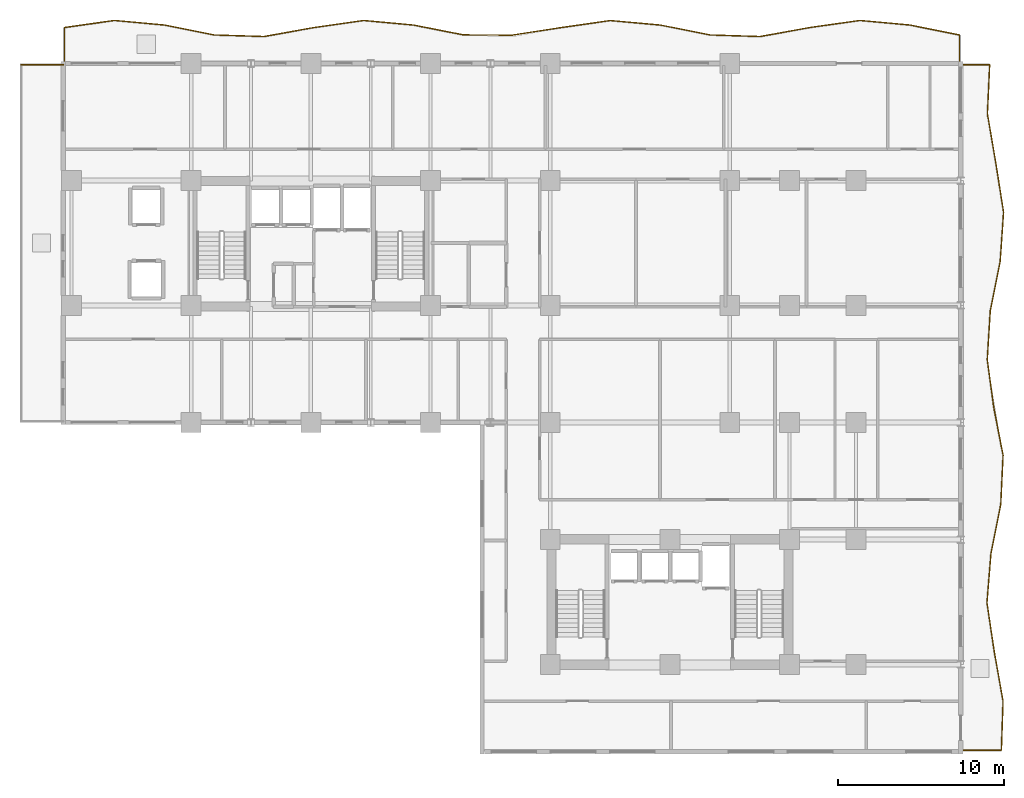
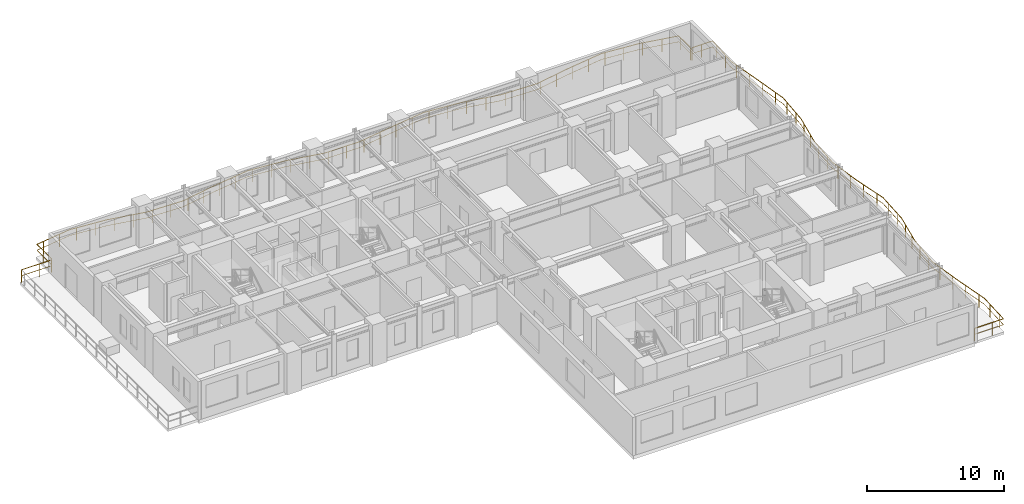
# One storey, part 11 of 11: 3 railings.
"""IFC4 building model written with IfcOpenShell, lengths in metres."""

from ifc_helpers import new_model, si_unit, direction, frame, origin, origin_2d, place, context, subcontext, project, spatial, rectangle, extrude, material, type_object, element, save


model = new_model("IFC4")

# Units and contexts
model_context = context("Model", 3, precision=1e-05, world=origin(), true_north=direction((0.0, 1.0)))
body_context = subcontext(model_context, "Body", "Model", "MODEL_VIEW")
ifc_project = project(units=[si_unit("LENGTHUNIT", "METRE"), si_unit("AREAUNIT", "SQUARE_METRE"), si_unit("VOLUMEUNIT", "CUBIC_METRE"), si_unit("PLANEANGLEUNIT", "RADIAN"), si_unit("MASSUNIT", "GRAM", prefix="KILO")], contexts=[model_context])

# Site, building, storey
site_placement = place(None, origin())
site = spatial("IfcSite", under=ifc_project, at=site_placement, CompositionType="ELEMENT")
building_placement = place(site_placement, origin())
building = spatial("IfcBuilding", under=site, at=building_placement, Name="Kaliganga Portal Commons", CompositionType="ELEMENT")
storey_placement = place(building_placement, frame((0.0, 0.0, 78.60009765625)))
storey = spatial("IfcBuildingStorey", under=building, at=storey_placement, Name="L19", CompositionType="ELEMENT", Elevation=78.60009765625)

# Railings
ifc_material = material(Name="Laminated Safety Glass and Stainless Steel 316", Category="steel")
railing_type = type_object("IfcRailingType", Name="RLG-BAL-1150", PredefinedType="BALUSTRADE", material=ifc_material)
railing_1_placement = place(storey_placement, frame((60.6201171875, 43.20556640625, 0.0)))
element("IfcRailing", 1, at=railing_1_placement, inside=storey, type_object=railing_type, Name="Balcony Guardrail L19 balc_north", PredefinedType="BALUSTRADE", context=body_context, shape_type="SweptSolid", body=[
    extrude(rectangle(XDim=0.048095703125, YDim=0.048095703125, at=origin_2d()), frame((0.0, 0.0, 1.1259765625), z_axis=(0.0, 1.0, 0.0), x_axis=(-1.0, 0.0, 0.0)), (0.0, 0.0, 1.0), 1.71142578125),
    extrude(rectangle(XDim=0.028076171875, YDim=0.028076171875, at=origin_2d()), frame((0.0, 0.0, 0.597900390625), z_axis=(0.0, 1.0, 0.0), x_axis=(-1.0, 0.0, 0.0)), (0.0, 0.0, 1.0), 1.71142578125),
    extrude(rectangle(XDim=0.048095703125, YDim=0.048095703125, at=origin_2d()), frame((0.0, 1.71142578125, 1.1259765625), z_axis=(-0.980635885947, 0.19583988152, 0.0), x_axis=(-0.19583988152, -0.980635885947, 0.0)), (0.0, 0.0, 1.0), 3.059326171875),
    extrude(rectangle(XDim=0.028076171875, YDim=0.028076171875, at=origin_2d()), frame((0.0, 1.71142578125, 0.597900390625), z_axis=(-0.980635885947, 0.19583988152, 0.0), x_axis=(-0.19583988152, -0.980635885947, 0.0)), (0.0, 0.0, 1.0), 3.059326171875),
    extrude(rectangle(XDim=0.048095703125, YDim=0.048095703125, at=origin_2d()), frame((-3.0, 2.310546875, 1.1259765625), z_axis=(-0.995827850775, 0.091251803383, 0.0), x_axis=(-0.091251803383, -0.995827850775, 0.0)), (0.0, 0.0, 1.0), 3.012451171875),
    extrude(rectangle(XDim=0.028076171875, YDim=0.028076171875, at=origin_2d()), frame((-3.0, 2.310546875, 0.597900390625), z_axis=(-0.995827850775, 0.091251803383, 0.0), x_axis=(-0.091251803383, -0.995827850775, 0.0)), (0.0, 0.0, 1.0), 3.012451171875),
    extrude(rectangle(XDim=0.048095703125, YDim=0.048095703125, at=origin_2d()), frame((-6.0, 2.58544921875, 1.1259765625), z_axis=(-0.989943047691, -0.141466470682, 0.0), x_axis=(0.141466470682, -0.989943047691, 0.0)), (0.0, 0.0, 1.0), 3.030517578125),
    extrude(rectangle(XDim=0.028076171875, YDim=0.028076171875, at=origin_2d()), frame((-6.0, 2.58544921875, 0.597900390625), z_axis=(-0.989943047691, -0.141466470682, 0.0), x_axis=(0.141466470682, -0.989943047691, 0.0)), (0.0, 0.0, 1.0), 3.030517578125),
    extrude(rectangle(XDim=0.048095703125, YDim=0.048095703125, at=origin_2d()), frame((-9.0, 2.15673828125, 1.1259765625), z_axis=(-0.984195051972, -0.177087830396, 0.0), x_axis=(0.177087830396, -0.984195051972, 0.0)), (0.0, 0.0, 1.0), 3.048095703125),
    extrude(rectangle(XDim=0.028076171875, YDim=0.028076171875, at=origin_2d()), frame((-9.0, 2.15673828125, 0.597900390625), z_axis=(-0.984195051972, -0.177087830396, 0.0), x_axis=(0.177087830396, -0.984195051972, 0.0)), (0.0, 0.0, 1.0), 3.048095703125),
    extrude(rectangle(XDim=0.048095703125, YDim=0.048095703125, at=origin_2d()), frame((-12.0, 1.616943359375, 1.1259765625), z_axis=(-0.999499296615, 0.031641050324, 0.0), x_axis=(-0.031641050324, -0.999499296615, 0.0)), (0.0, 0.0, 1.0), 3.00146484375),
    extrude(rectangle(XDim=0.028076171875, YDim=0.028076171875, at=origin_2d()), frame((-12.0, 1.616943359375, 0.597900390625), z_axis=(-0.999499296615, 0.031641050324, 0.0), x_axis=(-0.031641050324, -0.999499296615, 0.0)), (0.0, 0.0, 1.0), 3.00146484375),
    extrude(rectangle(XDim=0.048095703125, YDim=0.048095703125, at=origin_2d()), frame((-15.0, 1.7119140625, 1.1259765625), z_axis=(-0.980819402607, 0.194918699639, 0.0), x_axis=(-0.194918699639, -0.980819402607, 0.0)), (0.0, 0.0, 1.0), 3.05859375),
    extrude(rectangle(XDim=0.028076171875, YDim=0.028076171875, at=origin_2d()), frame((-15.0, 1.7119140625, 0.597900390625), z_axis=(-0.980819402607, 0.194918699639, 0.0), x_axis=(-0.194918699639, -0.980819402607, 0.0)), (0.0, 0.0, 1.0), 3.05859375),
    extrude(rectangle(XDim=0.048095703125, YDim=0.048095703125, at=origin_2d()), frame((-18.0, 2.30810546875, 1.1259765625), z_axis=(-0.995950811306, 0.089899841261, 0.0), x_axis=(-0.089899841261, -0.995950811306, 0.0)), (0.0, 0.0, 1.0), 3.01171875),
    extrude(rectangle(XDim=0.028076171875, YDim=0.028076171875, at=origin_2d()), frame((-18.0, 2.30810546875, 0.597900390625), z_axis=(-0.995950811306, 0.089899841261, 0.0), x_axis=(-0.089899841261, -0.995950811306, 0.0)), (0.0, 0.0, 1.0), 3.01171875),
    extrude(rectangle(XDim=0.048095703125, YDim=0.048095703125, at=origin_2d()), frame((-20.99951171875, 2.578857421875, 1.1259765625), z_axis=(-0.989978473762, -0.141218346855, 0.0), x_axis=(0.141218346855, -0.989978473762, 0.0)), (0.0, 0.0, 1.0), 3.030517578125),
    extrude(rectangle(XDim=0.028076171875, YDim=0.028076171875, at=origin_2d()), frame((-20.99951171875, 2.578857421875, 0.597900390625), z_axis=(-0.989978473762, -0.141218346855, 0.0), x_axis=(0.141218346855, -0.989978473762, 0.0)), (0.0, 0.0, 1.0), 3.030517578125),
    extrude(rectangle(XDim=0.048095703125, YDim=0.048095703125, at=origin_2d()), frame((-23.999755859375, 2.15087890625, 1.1259765625), z_axis=(-0.98806316163, -0.154049305839, 0.0), x_axis=(0.154049305839, -0.98806316163, 0.0)), (0.0, 0.0, 1.0), 2.955810546875),
    extrude(rectangle(XDim=0.028076171875, YDim=0.028076171875, at=origin_2d()), frame((-23.999755859375, 2.15087890625, 0.597900390625), z_axis=(-0.98806316163, -0.154049305839, 0.0), x_axis=(0.154049305839, -0.98806316163, 0.0)), (0.0, 0.0, 1.0), 2.955810546875),
    extrude(rectangle(XDim=0.048095703125, YDim=0.048095703125, at=origin_2d()), frame((-26.920166015625, 1.695556640625, 1.1259765625), z_axis=(-0.999975924488, 0.006939052064, 0.0), x_axis=(-0.006939052064, -0.999975924488, 0.0)), (0.0, 0.0, 1.0), 2.920166015625),
    extrude(rectangle(XDim=0.028076171875, YDim=0.028076171875, at=origin_2d()), frame((-26.920166015625, 1.695556640625, 0.597900390625), z_axis=(-0.999975924488, 0.006939052064, 0.0), x_axis=(-0.006939052064, -0.999975924488, 0.0)), (0.0, 0.0, 1.0), 2.920166015625),
    extrude(rectangle(XDim=0.048095703125, YDim=0.048095703125, at=origin_2d()), frame((-29.84033203125, 1.7158203125, 1.1259765625), z_axis=(-0.981168913159, 0.193151660232, 0.0), x_axis=(-0.193151660232, -0.981168913159, 0.0)), (0.0, 0.0, 1.0), 3.0576171875),
    extrude(rectangle(XDim=0.028076171875, YDim=0.028076171875, at=origin_2d()), frame((-29.84033203125, 1.7158203125, 0.597900390625), z_axis=(-0.981168913159, 0.193151660232, 0.0), x_axis=(-0.193151660232, -0.981168913159, 0.0)), (0.0, 0.0, 1.0), 3.0576171875),
    extrude(rectangle(XDim=0.048095703125, YDim=0.048095703125, at=origin_2d()), frame((-32.84033203125, 2.306396484375, 1.1259765625), z_axis=(-0.995805729318, 0.091492892936, 0.0), x_axis=(-0.091492892936, -0.995805729318, 0.0)), (0.0, 0.0, 1.0), 3.0126953125),
    extrude(rectangle(XDim=0.028076171875, YDim=0.028076171875, at=origin_2d()), frame((-32.84033203125, 2.306396484375, 0.597900390625), z_axis=(-0.995805729318, 0.091492892936, 0.0), x_axis=(-0.091492892936, -0.995805729318, 0.0)), (0.0, 0.0, 1.0), 3.0126953125),
    extrude(rectangle(XDim=0.048095703125, YDim=0.048095703125, at=origin_2d()), frame((-35.84033203125, 2.58203125, 1.1259765625), z_axis=(-0.990065193162, -0.140609079683, 0.0), x_axis=(0.140609079683, -0.990065193162, 0.0)), (0.0, 0.0, 1.0), 3.02978515625),
    extrude(rectangle(XDim=0.028076171875, YDim=0.028076171875, at=origin_2d()), frame((-35.84033203125, 2.58203125, 0.597900390625), z_axis=(-0.990065193162, -0.140609079683, 0.0), x_axis=(0.140609079683, -0.990065193162, 0.0)), (0.0, 0.0, 1.0), 3.02978515625),
    extrude(rectangle(XDim=0.048095703125, YDim=0.048095703125, at=origin_2d()), frame((-38.840087890625, 2.156005859375, 1.1259765625), z_axis=(-0.98423690473, -0.176855068819, 0.0), x_axis=(0.176855068819, -0.98423690473, 0.0)), (0.0, 0.0, 1.0), 3.048095703125),
    extrude(rectangle(XDim=0.028076171875, YDim=0.028076171875, at=origin_2d()), frame((-38.840087890625, 2.156005859375, 0.597900390625), z_axis=(-0.98423690473, -0.176855068819, 0.0), x_axis=(0.176855068819, -0.98423690473, 0.0)), (0.0, 0.0, 1.0), 3.048095703125),
    extrude(rectangle(XDim=0.048095703125, YDim=0.048095703125, at=origin_2d()), frame((-41.840087890625, 1.616943359375, 1.1259765625), z_axis=(-0.999504428184, 0.031478533017, 0.0), x_axis=(-0.031478533017, -0.999504428184, 0.0)), (0.0, 0.0, 1.0), 3.00146484375),
    extrude(rectangle(XDim=0.028076171875, YDim=0.028076171875, at=origin_2d()), frame((-41.840087890625, 1.616943359375, 0.597900390625), z_axis=(-0.999504428184, 0.031478533017, 0.0), x_axis=(-0.031478533017, -0.999504428184, 0.0)), (0.0, 0.0, 1.0), 3.00146484375),
    extrude(rectangle(XDim=0.048095703125, YDim=0.048095703125, at=origin_2d()), frame((-44.840087890625, 1.71142578125, 1.1259765625), z_axis=(-0.980651209419, 0.195763136125, 0.0), x_axis=(-0.195763136125, -0.980651209419, 0.0)), (0.0, 0.0, 1.0), 3.05908203125),
    extrude(rectangle(XDim=0.028076171875, YDim=0.028076171875, at=origin_2d()), frame((-44.840087890625, 1.71142578125, 0.597900390625), z_axis=(-0.980651209419, 0.195763136125, 0.0), x_axis=(-0.195763136125, -0.980651209419, 0.0)), (0.0, 0.0, 1.0), 3.05908203125),
    extrude(rectangle(XDim=0.048095703125, YDim=0.048095703125, at=origin_2d()), frame((-47.840087890625, 2.310302734375, 1.1259765625), z_axis=(-0.995813109513, 0.091412531537, 0.0), x_axis=(-0.091412531537, -0.995813109513, 0.0)), (0.0, 0.0, 1.0), 3.0126953125),
    extrude(rectangle(XDim=0.028076171875, YDim=0.028076171875, at=origin_2d()), frame((-47.840087890625, 2.310302734375, 0.597900390625), z_axis=(-0.995813109513, 0.091412531537, 0.0), x_axis=(-0.091412531537, -0.995813109513, 0.0)), (0.0, 0.0, 1.0), 3.0126953125),
    extrude(rectangle(XDim=0.048095703125, YDim=0.048095703125, at=origin_2d()), frame((-50.840087890625, 2.585693359375, 1.1259765625), z_axis=(-0.989943047691, -0.141466470682, 0.0), x_axis=(0.141466470682, -0.989943047691, 0.0)), (0.0, 0.0, 1.0), 3.030517578125),
    extrude(rectangle(XDim=0.028076171875, YDim=0.028076171875, at=origin_2d()), frame((-50.840087890625, 2.585693359375, 0.597900390625), z_axis=(-0.989943047691, -0.141466470682, 0.0), x_axis=(0.141466470682, -0.989943047691, 0.0)), (0.0, 0.0, 1.0), 3.030517578125),
    extrude(rectangle(XDim=0.048095703125, YDim=0.048095703125, at=origin_2d()), frame((-53.840087890625, 2.156982421875, 1.1259765625), z_axis=(-0.000113186191, -0.999999993594, 0.0), x_axis=(0.999999993594, -0.000113186191, 0.0)), (0.0, 0.0, 1.0), 2.156982421875),
    extrude(rectangle(XDim=0.028076171875, YDim=0.028076171875, at=origin_2d()), frame((-53.840087890625, 2.156982421875, 0.597900390625), z_axis=(-0.000113186191, -0.999999993594, 0.0), x_axis=(0.999999993594, -0.000113186191, 0.0)), (0.0, 0.0, 1.0), 2.156982421875),
    extrude(rectangle(XDim=0.0419921875, YDim=0.0419921875, at=origin_2d()), origin(), (0.0, 0.0, 1.0), 1.101806640625),
    extrude(rectangle(XDim=0.0419921875, YDim=0.0419921875, at=origin_2d()), frame((0.0, 1.5, 0.0)), (0.0, 0.0, 1.0), 1.101806640625),
    extrude(rectangle(XDim=0.0419921875, YDim=0.0419921875, at=origin_2d()), frame((-1.263671875, 1.9638671875, 0.0)), (0.0, 0.0, 1.0), 1.101806640625),
    extrude(rectangle(XDim=0.0419921875, YDim=0.0419921875, at=origin_2d()), frame((-2.734619140625, 2.257568359375, 0.0)), (0.0, 0.0, 1.0), 1.101806640625),
    extrude(rectangle(XDim=0.0419921875, YDim=0.0419921875, at=origin_2d()), frame((-4.22412109375, 2.422607421875, 0.0)), (0.0, 0.0, 1.0), 1.101806640625),
    extrude(rectangle(XDim=0.0419921875, YDim=0.0419921875, at=origin_2d()), frame((-5.718017578125, 2.5595703125, 0.0)), (0.0, 0.0, 1.0), 1.101806640625),
    extrude(rectangle(XDim=0.0419921875, YDim=0.0419921875, at=origin_2d()), frame((-7.20458984375, 2.413330078125, 0.0)), (0.0, 0.0, 1.0), 1.101806640625),
    extrude(rectangle(XDim=0.0419921875, YDim=0.0419921875, at=origin_2d()), frame((-8.689453125, 2.201171875, 0.0)), (0.0, 0.0, 1.0), 1.101806640625),
    extrude(rectangle(XDim=0.0419921875, YDim=0.0419921875, at=origin_2d()), frame((-10.16748046875, 1.94677734375, 0.0)), (0.0, 0.0, 1.0), 1.101806640625),
    extrude(rectangle(XDim=0.0419921875, YDim=0.0419921875, at=origin_2d()), frame((-11.643798828125, 1.680908203125, 0.0)), (0.0, 0.0, 1.0), 1.101806640625),
    extrude(rectangle(XDim=0.0419921875, YDim=0.0419921875, at=origin_2d()), frame((-13.137451171875, 1.653076171875, 0.0)), (0.0, 0.0, 1.0), 1.101806640625),
    extrude(rectangle(XDim=0.0419921875, YDim=0.0419921875, at=origin_2d()), frame((-14.63671875, 1.700439453125, 0.0)), (0.0, 0.0, 1.0), 1.101806640625),
    extrude(rectangle(XDim=0.0419921875, YDim=0.0419921875, at=origin_2d()), frame((-16.11474609375, 1.933349609375, 0.0)), (0.0, 0.0, 1.0), 1.101806640625),
    extrude(rectangle(XDim=0.0419921875, YDim=0.0419921875, at=origin_2d()), frame((-17.5859375, 2.225830078125, 0.0)), (0.0, 0.0, 1.0), 1.101806640625),
    extrude(rectangle(XDim=0.0419921875, YDim=0.0419921875, at=origin_2d()), frame((-19.073486328125, 2.405029296875, 0.0)), (0.0, 0.0, 1.0), 1.101806640625),
    extrude(rectangle(XDim=0.0419921875, YDim=0.0419921875, at=origin_2d()), frame((-20.5673828125, 2.539794921875, 0.0)), (0.0, 0.0, 1.0), 1.101806640625),
    extrude(rectangle(XDim=0.0419921875, YDim=0.0419921875, at=origin_2d()), frame((-22.05517578125, 2.42822265625, 0.0)), (0.0, 0.0, 1.0), 1.101806640625),
    extrude(rectangle(XDim=0.0419921875, YDim=0.0419921875, at=origin_2d()), frame((-23.5400390625, 2.216552734375, 0.0)), (0.0, 0.0, 1.0), 1.101806640625),
    extrude(rectangle(XDim=0.0419921875, YDim=0.0419921875, at=origin_2d()), frame((-25.02294921875, 1.991455078125, 0.0)), (0.0, 0.0, 1.0), 1.101806640625),
    extrude(rectangle(XDim=0.0419921875, YDim=0.0419921875, at=origin_2d()), frame((-26.505126953125, 1.76025390625, 0.0)), (0.0, 0.0, 1.0), 1.101806640625),
    extrude(rectangle(XDim=0.0419921875, YDim=0.0419921875, at=origin_2d()), frame((-28.0, 1.703125, 0.0)), (0.0, 0.0, 1.0), 1.101806640625),
    extrude(rectangle(XDim=0.0419921875, YDim=0.0419921875, at=origin_2d()), frame((-29.5, 1.71337890625, 0.0)), (0.0, 0.0, 1.0), 1.101806640625),
    extrude(rectangle(XDim=0.0419921875, YDim=0.0419921875, at=origin_2d()), frame((-30.978271484375, 1.939697265625, 0.0)), (0.0, 0.0, 1.0), 1.101806640625),
    extrude(rectangle(XDim=0.0419921875, YDim=0.0419921875, at=origin_2d()), frame((-32.449951171875, 2.2294921875, 0.0)), (0.0, 0.0, 1.0), 1.101806640625),
    extrude(rectangle(XDim=0.0419921875, YDim=0.0419921875, at=origin_2d()), frame((-33.937744140625, 2.4072265625, 0.0)), (0.0, 0.0, 1.0), 1.101806640625),
    extrude(rectangle(XDim=0.0419921875, YDim=0.0419921875, at=origin_2d()), frame((-35.431640625, 2.54443359375, 0.0)), (0.0, 0.0, 1.0), 1.101806640625),
    extrude(rectangle(XDim=0.0419921875, YDim=0.0419921875, at=origin_2d()), frame((-36.9189453125, 2.428955078125, 0.0)), (0.0, 0.0, 1.0), 1.101806640625),
    extrude(rectangle(XDim=0.0419921875, YDim=0.0419921875, at=origin_2d()), frame((-38.404052734375, 2.218017578125, 0.0)), (0.0, 0.0, 1.0), 1.101806640625),
    extrude(rectangle(XDim=0.0419921875, YDim=0.0419921875, at=origin_2d()), frame((-39.883056640625, 1.968505859375, 0.0)), (0.0, 0.0, 1.0), 1.101806640625),
    extrude(rectangle(XDim=0.0419921875, YDim=0.0419921875, at=origin_2d()), frame((-41.359375, 1.703369140625, 0.0)), (0.0, 0.0, 1.0), 1.101806640625),
    extrude(rectangle(XDim=0.0419921875, YDim=0.0419921875, at=origin_2d()), frame((-42.85107421875, 1.648681640625, 0.0)), (0.0, 0.0, 1.0), 1.101806640625),
    extrude(rectangle(XDim=0.0419921875, YDim=0.0419921875, at=origin_2d()), frame((-44.350341796875, 1.696044921875, 0.0)), (0.0, 0.0, 1.0), 1.101806640625),
    extrude(rectangle(XDim=0.0419921875, YDim=0.0419921875, at=origin_2d()), frame((-45.83056640625, 1.9091796875, 0.0)), (0.0, 0.0, 1.0), 1.101806640625),
    extrude(rectangle(XDim=0.0419921875, YDim=0.0419921875, at=origin_2d()), frame((-47.301513671875, 2.202880859375, 0.0)), (0.0, 0.0, 1.0), 1.101806640625),
    extrude(rectangle(XDim=0.0419921875, YDim=0.0419921875, at=origin_2d()), frame((-48.787109375, 2.397216796875, 0.0)), (0.0, 0.0, 1.0), 1.101806640625),
    extrude(rectangle(XDim=0.0419921875, YDim=0.0419921875, at=origin_2d()), frame((-50.28076171875, 2.534423828125, 0.0)), (0.0, 0.0, 1.0), 1.101806640625),
    extrude(rectangle(XDim=0.0419921875, YDim=0.0419921875, at=origin_2d()), frame((-51.76904296875, 2.452880859375, 0.0)), (0.0, 0.0, 1.0), 1.101806640625),
    extrude(rectangle(XDim=0.0419921875, YDim=0.0419921875, at=origin_2d()), frame((-53.25390625, 2.24072265625, 0.0)), (0.0, 0.0, 1.0), 1.101806640625),
    extrude(rectangle(XDim=0.0419921875, YDim=0.0419921875, at=origin_2d()), frame((-53.840087890625, 1.249267578125, 0.0)), (0.0, 0.0, 1.0), 1.101806640625),
    extrude(rectangle(XDim=0.0419921875, YDim=0.0419921875, at=origin_2d()), frame((-53.84033203125, 0.0, 0.0)), (0.0, 0.0, 1.0), 1.101806640625),
])
railing_2_placement = place(storey_placement, frame((60.70703125, 1.879638671875, 0.0)))
element("IfcRailing", 2, at=railing_2_placement, inside=storey, type_object=railing_type, Name="Balcony Guardrail L19 balc_east", PredefinedType="BALUSTRADE", context=body_context, shape_type="SweptSolid", body=[
    extrude(rectangle(XDim=0.048095703125, YDim=0.048095703125, at=origin_2d()), frame((0.0, 0.0, 1.1259765625), z_axis=(0.99999999499, 0.0001001001, 0.0), x_axis=(-0.0001001001, 0.99999999499, 0.0)), (0.0, 0.0, 1.0), 2.43896484375),
    extrude(rectangle(XDim=0.028076171875, YDim=0.028076171875, at=origin_2d()), frame((0.0, 0.0, 0.597900390625), z_axis=(0.99999999499, 0.0001001001, 0.0), x_axis=(-0.0001001001, 0.99999999499, 0.0)), (0.0, 0.0, 1.0), 2.43896484375),
    extrude(rectangle(XDim=0.048095703125, YDim=0.048095703125, at=origin_2d()), frame((2.43896484375, 0.000244140625, 1.1259765625), z_axis=(0.033254384805, 0.999446919997, 0.0), x_axis=(-0.999446919997, 0.033254384805, 0.0)), (0.0, 0.0, 1.0), 2.958740234375),
    extrude(rectangle(XDim=0.028076171875, YDim=0.028076171875, at=origin_2d()), frame((2.43896484375, 0.000244140625, 0.597900390625), z_axis=(0.033254384805, 0.999446919997, 0.0), x_axis=(-0.999446919997, 0.033254384805, 0.0)), (0.0, 0.0, 1.0), 2.958740234375),
    extrude(rectangle(XDim=0.048095703125, YDim=0.048095703125, at=origin_2d()), frame((2.537353515625, 2.957275390625, 1.1259765625), z_axis=(-0.175000066988, 0.984568421469, 0.0), x_axis=(-0.984568421469, -0.175000066988, 0.0)), (0.0, 0.0, 1.0), 3.003662109375),
    extrude(rectangle(XDim=0.028076171875, YDim=0.028076171875, at=origin_2d()), frame((2.537353515625, 2.957275390625, 0.597900390625), z_axis=(-0.175000066988, 0.984568421469, 0.0), x_axis=(-0.984568421469, -0.175000066988, 0.0)), (0.0, 0.0, 1.0), 3.003662109375),
    extrude(rectangle(XDim=0.048095703125, YDim=0.048095703125, at=origin_2d()), frame((2.01171875, 5.91455078125, 1.1259765625), z_axis=(-0.147386086183, 0.989079037084, 0.0), x_axis=(-0.989079037084, -0.147386086183, 0.0)), (0.0, 0.0, 1.0), 2.989990234375),
    extrude(rectangle(XDim=0.028076171875, YDim=0.028076171875, at=origin_2d()), frame((2.01171875, 5.91455078125, 0.597900390625), z_axis=(-0.147386086183, 0.989079037084, 0.0), x_axis=(-0.989079037084, -0.147386086183, 0.0)), (0.0, 0.0, 1.0), 2.989990234375),
    extrude(rectangle(XDim=0.048095703125, YDim=0.048095703125, at=origin_2d()), frame((1.571044921875, 8.871826171875, 1.1259765625), z_axis=(0.079912042866, 0.996801918841, 0.0), x_axis=(-0.996801918841, 0.079912042866, 0.0)), (0.0, 0.0, 1.0), 2.966552734375),
    extrude(rectangle(XDim=0.028076171875, YDim=0.028076171875, at=origin_2d()), frame((1.571044921875, 8.871826171875, 0.597900390625), z_axis=(0.079912042866, 0.996801918841, 0.0), x_axis=(-0.996801918841, 0.079912042866, 0.0)), (0.0, 0.0, 1.0), 2.966552734375),
    extrude(rectangle(XDim=0.048095703125, YDim=0.048095703125, at=origin_2d()), frame((1.80810546875, 11.828857421875, 1.1259765625), z_axis=(0.196022710023, 0.980599356086, 0.0), x_axis=(-0.980599356086, 0.196022710023, 0.0)), (0.0, 0.0, 1.0), 3.015380859375),
    extrude(rectangle(XDim=0.028076171875, YDim=0.028076171875, at=origin_2d()), frame((1.80810546875, 11.828857421875, 0.597900390625), z_axis=(0.196022710023, 0.980599356086, 0.0), x_axis=(-0.980599356086, 0.196022710023, 0.0)), (0.0, 0.0, 1.0), 3.015380859375),
    extrude(rectangle(XDim=0.048095703125, YDim=0.048095703125, at=origin_2d()), frame((2.399169921875, 14.78564453125, 1.1259765625), z_axis=(0.047612195142, 0.998865896341, 0.0), x_axis=(-0.998865896341, 0.047612195142, 0.0)), (0.0, 0.0, 1.0), 2.958740234375),
    extrude(rectangle(XDim=0.028076171875, YDim=0.028076171875, at=origin_2d()), frame((2.399169921875, 14.78564453125, 0.597900390625), z_axis=(0.047612195142, 0.998865896341, 0.0), x_axis=(-0.998865896341, 0.047612195142, 0.0)), (0.0, 0.0, 1.0), 2.958740234375),
    extrude(rectangle(XDim=0.048095703125, YDim=0.048095703125, at=origin_2d()), frame((2.5400390625, 17.740966796875, 1.1259765625), z_axis=(-0.19124832873, 0.981541683658, 0.0), x_axis=(-0.981541683658, -0.19124832873, 0.0)), (0.0, 0.0, 1.0), 2.93359375),
    extrude(rectangle(XDim=0.028076171875, YDim=0.028076171875, at=origin_2d()), frame((2.5400390625, 17.740966796875, 0.597900390625), z_axis=(-0.19124832873, 0.981541683658, 0.0), x_axis=(-0.981541683658, -0.19124832873, 0.0)), (0.0, 0.0, 1.0), 2.93359375),
    extrude(rectangle(XDim=0.048095703125, YDim=0.048095703125, at=origin_2d()), frame((1.97900390625, 20.620361328125, 1.1259765625), z_axis=(-0.134768039304, 0.990877174821, 0.0), x_axis=(-0.990877174821, -0.134768039304, 0.0)), (0.0, 0.0, 1.0), 2.904052734375),
    extrude(rectangle(XDim=0.028076171875, YDim=0.028076171875, at=origin_2d()), frame((1.97900390625, 20.620361328125, 0.597900390625), z_axis=(-0.134768039304, 0.990877174821, 0.0), x_axis=(-0.990877174821, -0.134768039304, 0.0)), (0.0, 0.0, 1.0), 2.904052734375),
    extrude(rectangle(XDim=0.048095703125, YDim=0.048095703125, at=origin_2d()), frame((1.587646484375, 23.497802734375, 1.1259765625), z_axis=(0.061562473318, 0.998103232075, 0.0), x_axis=(-0.998103232075, 0.061562473318, 0.0)), (0.0, 0.0, 1.0), 2.96240234375),
    extrude(rectangle(XDim=0.028076171875, YDim=0.028076171875, at=origin_2d()), frame((1.587646484375, 23.497802734375, 0.597900390625), z_axis=(0.061562473318, 0.998103232075, 0.0), x_axis=(-0.998103232075, 0.061562473318, 0.0)), (0.0, 0.0, 1.0), 2.96240234375),
    extrude(rectangle(XDim=0.048095703125, YDim=0.048095703125, at=origin_2d()), frame((1.77001953125, 26.45458984375, 1.1259765625), z_axis=(0.1973144182, 0.980340257447, 0.0), x_axis=(-0.980340257447, 0.1973144182, 0.0)), (0.0, 0.0, 1.0), 3.0166015625),
    extrude(rectangle(XDim=0.028076171875, YDim=0.028076171875, at=origin_2d()), frame((1.77001953125, 26.45458984375, 0.597900390625), z_axis=(0.1973144182, 0.980340257447, 0.0), x_axis=(-0.980340257447, 0.1973144182, 0.0)), (0.0, 0.0, 1.0), 3.0166015625),
    extrude(rectangle(XDim=0.048095703125, YDim=0.048095703125, at=origin_2d()), frame((2.365234375, 29.411865234375, 1.1259765625), z_axis=(0.068607054583, 0.997643760097, 0.0), x_axis=(-0.997643760097, 0.068607054583, 0.0)), (0.0, 0.0, 1.0), 2.96435546875),
    extrude(rectangle(XDim=0.028076171875, YDim=0.028076171875, at=origin_2d()), frame((2.365234375, 29.411865234375, 0.597900390625), z_axis=(0.068607054583, 0.997643760097, 0.0), x_axis=(-0.997643760097, 0.068607054583, 0.0)), (0.0, 0.0, 1.0), 2.96435546875),
    extrude(rectangle(XDim=0.048095703125, YDim=0.048095703125, at=origin_2d()), frame((2.568603515625, 32.369140625, 1.1259765625), z_axis=(-0.15521281786, 0.987881056186, 0.0), x_axis=(-0.987881056186, -0.15521281786, 0.0)), (0.0, 0.0, 1.0), 2.993408203125),
    extrude(rectangle(XDim=0.028076171875, YDim=0.028076171875, at=origin_2d()), frame((2.568603515625, 32.369140625, 0.597900390625), z_axis=(-0.15521281786, 0.987881056186, 0.0), x_axis=(-0.987881056186, -0.15521281786, 0.0)), (0.0, 0.0, 1.0), 2.993408203125),
    extrude(rectangle(XDim=0.048095703125, YDim=0.048095703125, at=origin_2d()), frame((2.10400390625, 35.326171875, 1.1259765625), z_axis=(-0.168778597436, 0.985653988501, 0.0), x_axis=(-0.985653988501, -0.168778597436, 0.0)), (0.0, 0.0, 1.0), 3.0),
    extrude(rectangle(XDim=0.028076171875, YDim=0.028076171875, at=origin_2d()), frame((2.10400390625, 35.326171875, 0.597900390625), z_axis=(-0.168778597436, 0.985653988501, 0.0), x_axis=(-0.985653988501, -0.168778597436, 0.0)), (0.0, 0.0, 1.0), 3.0),
    extrude(rectangle(XDim=0.048095703125, YDim=0.048095703125, at=origin_2d()), frame((1.59765625, 38.283203125, 1.1259765625), z_axis=(0.04585281951, 0.998948206337, 0.0), x_axis=(-0.998948206337, 0.04585281951, 0.0)), (0.0, 0.0, 1.0), 2.96044921875),
    extrude(rectangle(XDim=0.028076171875, YDim=0.028076171875, at=origin_2d()), frame((1.59765625, 38.283203125, 0.597900390625), z_axis=(0.04585281951, 0.998948206337, 0.0), x_axis=(-0.998948206337, 0.04585281951, 0.0)), (0.0, 0.0, 1.0), 2.96044921875),
    extrude(rectangle(XDim=0.048095703125, YDim=0.048095703125, at=origin_2d()), frame((1.7333984375, 41.240478515625, 1.1259765625), z_axis=(-0.999999990081, 0.000140845069, 0.0), x_axis=(-0.000140845069, -0.999999990081, 0.0)), (0.0, 0.0, 1.0), 1.7333984375),
    extrude(rectangle(XDim=0.028076171875, YDim=0.028076171875, at=origin_2d()), frame((1.7333984375, 41.240478515625, 0.597900390625), z_axis=(-0.999999990081, 0.000140845069, 0.0), x_axis=(-0.000140845069, -0.999999990081, 0.0)), (0.0, 0.0, 1.0), 1.7333984375),
    extrude(rectangle(XDim=0.0419921875, YDim=0.0419921875, at=origin_2d()), origin(), (0.0, 0.0, 1.0), 1.101806640625),
    extrude(rectangle(XDim=0.0419921875, YDim=0.0419921875, at=origin_2d()), frame((1.5, 0.000244140625, 0.0)), (0.0, 0.0, 1.0), 1.101806640625),
    extrude(rectangle(XDim=0.0419921875, YDim=0.0419921875, at=origin_2d()), frame((2.45751953125, 0.56103515625, 0.0)), (0.0, 0.0, 1.0), 1.101806640625),
    extrude(rectangle(XDim=0.0419921875, YDim=0.0419921875, at=origin_2d()), frame((2.507568359375, 2.06005859375, 0.0)), (0.0, 0.0, 1.0), 1.101806640625),
    extrude(rectangle(XDim=0.0419921875, YDim=0.0419921875, at=origin_2d()), frame((2.431884765625, 3.55029296875, 0.0)), (0.0, 0.0, 1.0), 1.101806640625),
    extrude(rectangle(XDim=0.0419921875, YDim=0.0419921875, at=origin_2d()), frame((2.16943359375, 5.027099609375, 0.0)), (0.0, 0.0, 1.0), 1.101806640625),
    extrude(rectangle(XDim=0.0419921875, YDim=0.0419921875, at=origin_2d()), frame((1.923583984375, 6.5068359375, 0.0)), (0.0, 0.0, 1.0), 1.101806640625),
    extrude(rectangle(XDim=0.0419921875, YDim=0.0419921875, at=origin_2d()), frame((1.702392578125, 7.990478515625, 0.0)), (0.0, 0.0, 1.0), 1.101806640625),
    extrude(rectangle(XDim=0.0419921875, YDim=0.0419921875, at=origin_2d()), frame((1.61962890625, 9.478759765625, 0.0)), (0.0, 0.0, 1.0), 1.101806640625),
    extrude(rectangle(XDim=0.0419921875, YDim=0.0419921875, at=origin_2d()), frame((1.739501953125, 10.973876953125, 0.0)), (0.0, 0.0, 1.0), 1.101806640625),
    extrude(rectangle(XDim=0.0419921875, YDim=0.0419921875, at=origin_2d()), frame((1.93408203125, 12.458740234375, 0.0)), (0.0, 0.0, 1.0), 1.101806640625),
    extrude(rectangle(XDim=0.0419921875, YDim=0.0419921875, at=origin_2d()), frame((2.22802734375, 13.9296875, 0.0)), (0.0, 0.0, 1.0), 1.101806640625),
    extrude(rectangle(XDim=0.0419921875, YDim=0.0419921875, at=origin_2d()), frame((2.428955078125, 15.411865234375, 0.0)), (0.0, 0.0, 1.0), 1.101806640625),
    extrude(rectangle(XDim=0.0419921875, YDim=0.0419921875, at=origin_2d()), frame((2.50048828125, 16.91015625, 0.0)), (0.0, 0.0, 1.0), 1.101806640625),
    extrude(rectangle(XDim=0.0419921875, YDim=0.0419921875, at=origin_2d()), frame((2.412109375, 18.39697265625, 0.0)), (0.0, 0.0, 1.0), 1.101806640625),
    extrude(rectangle(XDim=0.0419921875, YDim=0.0419921875, at=origin_2d()), frame((2.125244140625, 19.869384765625, 0.0)), (0.0, 0.0, 1.0), 1.101806640625),
    extrude(rectangle(XDim=0.0419921875, YDim=0.0419921875, at=origin_2d()), frame((1.8798828125, 21.348388671875, 0.0)), (0.0, 0.0, 1.0), 1.101806640625),
    extrude(rectangle(XDim=0.0419921875, YDim=0.0419921875, at=origin_2d()), frame((1.677734375, 22.834716796875, 0.0)), (0.0, 0.0, 1.0), 1.101806640625),
    extrude(rectangle(XDim=0.0419921875, YDim=0.0419921875, at=origin_2d()), frame((1.638916015625, 24.3271484375, 0.0)), (0.0, 0.0, 1.0), 1.101806640625),
    extrude(rectangle(XDim=0.0419921875, YDim=0.0419921875, at=origin_2d()), frame((1.731201171875, 25.82421875, 0.0)), (0.0, 0.0, 1.0), 1.101806640625),
    extrude(rectangle(XDim=0.0419921875, YDim=0.0419921875, at=origin_2d()), frame((1.94140625, 27.305908203125, 0.0)), (0.0, 0.0, 1.0), 1.101806640625),
    extrude(rectangle(XDim=0.0419921875, YDim=0.0419921875, at=origin_2d()), frame((2.2373046875, 28.7763671875, 0.0)), (0.0, 0.0, 1.0), 1.101806640625),
    extrude(rectangle(XDim=0.0419921875, YDim=0.0419921875, at=origin_2d()), frame((2.423583984375, 30.26171875, 0.0)), (0.0, 0.0, 1.0), 1.101806640625),
    extrude(rectangle(XDim=0.0419921875, YDim=0.0419921875, at=origin_2d()), frame((2.526611328125, 31.75830078125, 0.0)), (0.0, 0.0, 1.0), 1.101806640625),
    extrude(rectangle(XDim=0.0419921875, YDim=0.0419921875, at=origin_2d()), frame((2.430908203125, 33.24609375, 0.0)), (0.0, 0.0, 1.0), 1.101806640625),
    extrude(rectangle(XDim=0.0419921875, YDim=0.0419921875, at=origin_2d()), frame((2.197998046875, 34.727783203125, 0.0)), (0.0, 0.0, 1.0), 1.101806640625),
    extrude(rectangle(XDim=0.0419921875, YDim=0.0419921875, at=origin_2d()), frame((1.953125, 36.207763671875, 0.0)), (0.0, 0.0, 1.0), 1.101806640625),
    extrude(rectangle(XDim=0.0419921875, YDim=0.0419921875, at=origin_2d()), frame((1.699951171875, 37.68603515625, 0.0)), (0.0, 0.0, 1.0), 1.101806640625),
    extrude(rectangle(XDim=0.0419921875, YDim=0.0419921875, at=origin_2d()), frame((1.638671875, 39.176513671875, 0.0)), (0.0, 0.0, 1.0), 1.101806640625),
    extrude(rectangle(XDim=0.0419921875, YDim=0.0419921875, at=origin_2d()), frame((1.70751953125, 40.6748046875, 0.0)), (0.0, 0.0, 1.0), 1.101806640625),
    extrude(rectangle(XDim=0.0419921875, YDim=0.0419921875, at=origin_2d()), frame((0.799560546875, 41.24072265625, 0.0)), (0.0, 0.0, 1.0), 1.101806640625),
    extrude(rectangle(XDim=0.0419921875, YDim=0.0419921875, at=origin_2d()), frame((0.0, 41.24072265625, 0.0)), (0.0, 0.0, 1.0), 1.101806640625),
])
railing_3_placement = place(storey_placement, frame((4.179931640625, 43.1201171875, 0.0)))
element("IfcRailing", 3, at=railing_3_placement, inside=storey, type_object=railing_type, Name="Terrace Guardrail L19 skygarden_l19-03-1", PredefinedType="BALUSTRADE", context=body_context, shape_type="SweptSolid", body=[
    extrude(rectangle(XDim=0.048095703125, YDim=0.048095703125, at=origin_2d()), frame((0.0, 0.0, 1.1259765625), z_axis=(1.0, 0.0, 0.0), x_axis=(0.0, 1.0, 0.0)), (0.0, 0.0, 1.0), 2.52001953125),
    extrude(rectangle(XDim=0.028076171875, YDim=0.028076171875, at=origin_2d()), frame((0.0, 0.0, 0.597900390625), z_axis=(1.0, 0.0, 0.0), x_axis=(0.0, 1.0, 0.0)), (0.0, 0.0, 1.0), 2.52001953125),
    extrude(rectangle(XDim=0.0419921875, YDim=0.0419921875, at=origin_2d()), origin(), (0.0, 0.0, 1.0), 1.101806640625),
    extrude(rectangle(XDim=0.0419921875, YDim=0.0419921875, at=origin_2d()), frame((1.5, 0.0, 0.0)), (0.0, 0.0, 1.0), 1.101806640625),
    extrude(rectangle(XDim=0.0419921875, YDim=0.0419921875, at=origin_2d()), frame((2.52001953125, 0.0, 0.0)), (0.0, 0.0, 1.0), 1.101806640625),
])

save(model, "model.ifc")
